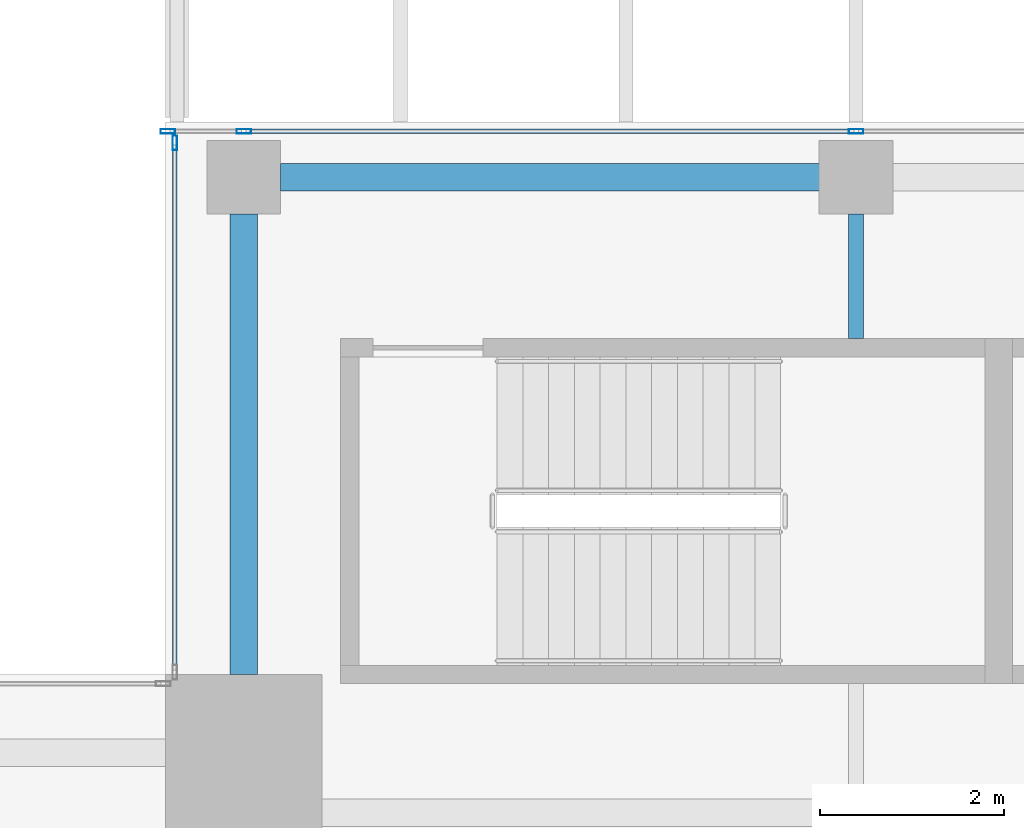
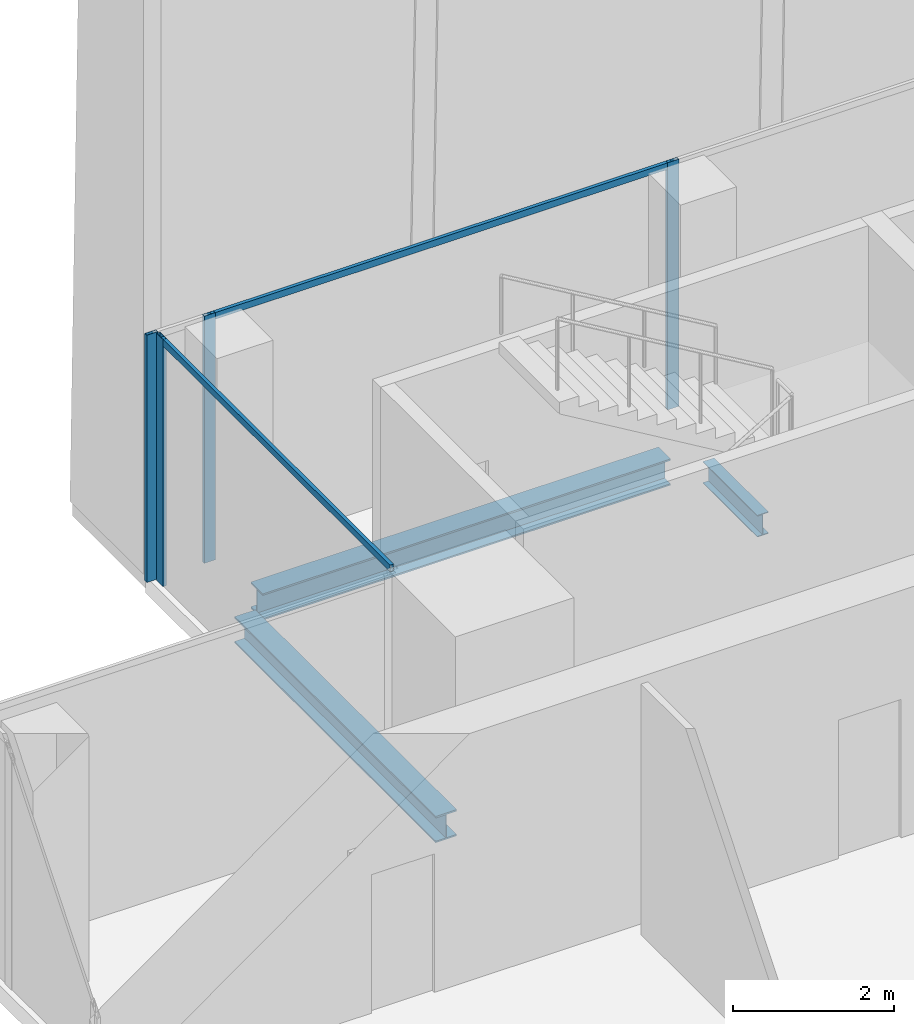
# One storey, part 14 of 32: 6 members, 3 beams, 2 elements without a shape of their own.
"""IFC4 building model written with IfcOpenShell, lengths in metres."""

import ifcopenshell
import ifcopenshell.guid

model = None  # the IFC model being written
_history = None  # IfcOwnerHistory: only IFC2X3 demands one
_inside = {}  # id of a spatial element -> (the spatial element, [elements in it])
_under = {}  # id of a project, library or spatial element -> (it, [spatial elements below it])
_declared = {}  # id of a project -> (the project, [libraries it declares])
_typed = {}  # id of a type object -> (the type object, [elements of that type])
_made_of = {}  # id of a material, layer set ... -> (it, [elements and type objects made of it])


def new_model(schema):
    """Start an empty IFC model of exactly this schema.

    Asked for "IFC4X3", IfcOpenShell would pick the latest addendum, in which some entities
    have other attributes; the version numbers below select the first issue.
    IFC2X3 requires an IfcOwnerHistory on every rooted entity: one is made here for all.
    """
    global model, _history
    if schema == "IFC4X3":
        model = ifcopenshell.file(schema_version=(4, 3, 0, 0))
    else:
        model = ifcopenshell.file(schema=schema)
    _inside.clear()
    _under.clear()
    _declared.clear()
    _typed.clear()
    _made_of.clear()
    _history = None
    if model.schema == "IFC2X3":
        org = make("IfcOrganization", Name="unknown")
        user = make(
            "IfcPersonAndOrganization",
            ThePerson=make("IfcPerson", FamilyName="unknown"),
            TheOrganization=org,
        )
        app = make(
            "IfcApplication",
            ApplicationDeveloper=org,
            Version="unknown",
            ApplicationFullName="unknown",
            ApplicationIdentifier="unknown",
        )
        _history = make(
            "IfcOwnerHistory",
            OwningUser=user,
            OwningApplication=app,
            ChangeAction="ADDED",
            CreationDate=0,
        )
    return model


def make(cls, **values):
    """One entity of the class cls with the attributes given. An attribute that is None is left unset."""
    return model.create_entity(
        cls, **{name: value for name, value in values.items() if value is not None}
    )


def rooted(cls, **values):
    """An entity with a GlobalId (a new one), such as an element, a storey or a relation."""
    return make(cls, GlobalId=ifcopenshell.guid.new(), OwnerHistory=_history, **values)


def si_unit(unit_type, name, prefix=None):
    """IfcSIUnit, for example si_unit("LENGTHUNIT", "METRE", prefix="MILLI")."""
    return make("IfcSIUnit", UnitType=unit_type, Prefix=prefix, Name=name)


def assignment(units):
    """IfcUnitAssignment: the units of a project."""
    return None if units is None else make("IfcUnitAssignment", Units=units)


def point(xyz):
    """IfcCartesianPoint."""
    return None if xyz is None else make("IfcCartesianPoint", Coordinates=xyz)


def direction(xyz):
    """IfcDirection."""
    return None if xyz is None else make("IfcDirection", DirectionRatios=xyz)


def frame(location, z_axis=None, x_axis=None):
    """IfcAxis2Placement3D, a coordinate frame: its origin and axes. An axis left out is left unset."""
    return make(
        "IfcAxis2Placement3D",
        Location=point(location),
        Axis=direction(z_axis),
        RefDirection=direction(x_axis),
    )


def frame_2d(location, x_axis=None):
    """IfcAxis2Placement2D, a coordinate frame in the plane: its origin and x axis."""
    return make(
        "IfcAxis2Placement2D", Location=point(location), RefDirection=direction(x_axis)
    )


def origin():
    """The frame at (0, 0, 0) with its axes left unset."""
    return frame((0.0, 0.0, 0.0))


def origin_2d():
    """The frame at (0, 0) in the plane with its x axis left unset."""
    return frame_2d((0.0, 0.0))


def place(relative_to, where):
    """IfcLocalPlacement: puts the frame where relative to a parent placement (None: the world)."""
    return make(
        "IfcLocalPlacement", PlacementRelTo=relative_to, RelativePlacement=where
    )


def context(
    kind, dimensions, precision=None, world=None, true_north=None, identifier=None
):
    """IfcGeometricRepresentationContext, for example the 3D "Model" context."""
    return make(
        "IfcGeometricRepresentationContext",
        ContextIdentifier=identifier,
        ContextType=kind,
        CoordinateSpaceDimension=dimensions,
        Precision=precision,
        WorldCoordinateSystem=world,
        TrueNorth=true_north,
    )


def subcontext(parent, identifier, kind, view, scale=None):
    """IfcGeometricRepresentationSubContext, for example "Body" below "Model"."""
    return make(
        "IfcGeometricRepresentationSubContext",
        ContextIdentifier=identifier,
        ContextType=kind,
        ParentContext=parent,
        TargetScale=scale,
        TargetView=view,
    )


def project(units=None, contexts=None):
    """IfcProject with its units and contexts."""
    return rooted(
        "IfcProject",
        Name="project",
        RepresentationContexts=contexts,
        UnitsInContext=assignment(units),
    )


def spatial(cls, under=None, at=None, **own):
    """A site, building, storey or space (cls), placed at a placement, below another one or the project."""
    s = rooted(cls, ObjectPlacement=at, **own)
    if under is not None:
        _under.setdefault(under.id(), (under, []))[1].append(s)
    return s


def profile(cls, at=None, kind="AREA", **sizes):
    """A parametric profile (cls). Its sizes go by their IFC names, for example OverallWidth=200.0."""
    return make(cls, ProfileType=kind, Position=at, **sizes)


def hollow_rectangle(**sizes):
    """IfcRectangleHollowProfileDef."""
    return profile("IfcRectangleHollowProfileDef", **sizes)


def i_section(**sizes):
    """IfcIShapeProfileDef."""
    return profile("IfcIShapeProfileDef", **sizes)


def extrude(swept, where, along, depth):
    """IfcExtrudedAreaSolid: the profile swept, set in the frame where, extruded along a direction by depth."""
    return make(
        "IfcExtrudedAreaSolid",
        SweptArea=swept,
        Position=where,
        ExtrudedDirection=direction(along),
        Depth=depth,
    )


def shape(context_of_items, identifier, shape_type, items):
    """IfcShapeRepresentation: the items that make up one representation, for example the "Body"."""
    return make(
        "IfcShapeRepresentation",
        ContextOfItems=context_of_items,
        RepresentationIdentifier=identifier,
        RepresentationType=shape_type,
        Items=items,
    )


def source(mapping_origin, context_of_items, identifier, shape_type, items):
    """IfcRepresentationMap: a shape defined once, which mapped items show again and again."""
    return make(
        "IfcRepresentationMap",
        MappingOrigin=mapping_origin,
        MappedRepresentation=shape(context_of_items, identifier, shape_type, items),
    )


def transform(
    local_origin,
    x_axis=None,
    y_axis=None,
    z_axis=None,
    scale=None,
    scale2=None,
    scale3=None,
    uniform=True,
):
    """IfcCartesianTransformationOperator3D, or its non-uniform kind. x_axis, y_axis, z_axis: its Axis1, 2, 3."""
    if uniform:
        return make(
            "IfcCartesianTransformationOperator3D",
            Axis1=direction(x_axis),
            Axis2=direction(y_axis),
            LocalOrigin=point(local_origin),
            Scale=scale,
            Axis3=direction(z_axis),
        )
    return make(
        "IfcCartesianTransformationOperator3DnonUniform",
        Axis1=direction(x_axis),
        Axis2=direction(y_axis),
        LocalOrigin=point(local_origin),
        Scale=scale,
        Axis3=direction(z_axis),
        Scale2=scale2,
        Scale3=scale3,
    )


def mapped(mapping_source, mapping_target):
    """IfcMappedItem: shows the shape of a source again, moved by a transform."""
    return make(
        "IfcMappedItem", MappingSource=mapping_source, MappingTarget=mapping_target
    )


def material(Name=None, Category=None):
    """IfcMaterial."""
    return make("IfcMaterial", Name=Name, Category=Category)


def material_profile(
    of_material, cross_section, Name=None, Category=None, Priority=None
):
    """IfcMaterialProfile: a cross section and its material."""
    return make(
        "IfcMaterialProfile",
        Name=Name,
        Material=of_material,
        Profile=cross_section,
        Priority=Priority,
        Category=Category,
    )


def profile_set(profiles, Name=None, composite=None):
    """IfcMaterialProfileSet."""
    return make(
        "IfcMaterialProfileSet",
        Name=Name,
        MaterialProfiles=profiles,
        CompositeProfile=composite,
    )


def made_of(thing, what):
    """Note that an element or type object is made of a material, layer set ...; save() writes the relation."""
    if what is not None:
        _made_of.setdefault(what.id(), (what, []))[1].append(thing)
    return thing


def type_object(cls, material=None, **own):
    """A type object (cls), such as IfcWallType, which elements share."""
    return made_of(rooted(cls, **own), material)


def element(
    cls,
    number,
    at=None,
    inside=None,
    cuts=None,
    type_object=None,
    material=None,
    context=None,
    identifier="Body",
    shape_type=None,
    held_by="IfcProductDefinitionShape",
    body=None,
    shapes=None,
    **own,
):
    """One element of the class cls, such as IfcWall. Its Tag is "e" and its number.

    at: its placement. inside: the storey or other place that contains it. cuts: it is an
    opening in that element (IfcRelVoidsElement). A single representation is given by context,
    identifier, shape_type and body (its items); several are given by shapes. held_by: the class
    of the entity that holds the representations. save() writes the other relations.
    """
    e = rooted(cls, Tag="e%d" % number, ObjectPlacement=at, **own)
    if body is not None:
        shapes = [shape(context, identifier, shape_type, body)]
    if shapes is not None:
        e.Representation = make(held_by, Representations=shapes)
    if inside is not None:
        _inside.setdefault(inside.id(), (inside, []))[1].append(e)
    if cuts is not None:
        rooted(
            "IfcRelVoidsElement", RelatingBuildingElement=cuts, RelatedOpeningElement=e
        )
    if type_object is not None:
        _typed.setdefault(type_object.id(), (type_object, []))[1].append(e)
    return made_of(e, material)


def aggregate(whole, parts):
    """IfcRelAggregates: a whole, such as a stair, and the parts it consists of."""
    return rooted("IfcRelAggregates", RelatingObject=whole, RelatedObjects=parts)


def save(model, path):
    """Write the relations noted so far, then the file.

    IfcRelAggregates (storeys below a building ...), IfcRelContainedInSpatialStructure (elements
    in a storey), IfcRelDefinesByType, IfcRelAssociatesMaterial and IfcRelDeclares: one each for
    every whole, place, type object, material and project.
    """
    for whole, parts in _under.values():
        aggregate(whole, parts)
    for where, things in _inside.values():
        rooted(
            "IfcRelContainedInSpatialStructure",
            RelatedElements=things,
            RelatingStructure=where,
        )
    for kind, things in _typed.values():
        rooted("IfcRelDefinesByType", RelatedObjects=things, RelatingType=kind)
    for what, things in _made_of.values():
        rooted("IfcRelAssociatesMaterial", RelatedObjects=things, RelatingMaterial=what)
    for by, libraries in _declared.values():
        rooted("IfcRelDeclares", RelatingContext=by, RelatedDefinitions=libraries)
    model.write(path)


model = new_model("IFC4")

# Units and contexts
model_context = context("Model", 3, precision=1e-05, world=origin(), true_north=direction((0.0, 1.0)))
body_context = subcontext(model_context, "Body", "Model", "MODEL_VIEW")
ifc_project = project(units=[si_unit("LENGTHUNIT", "METRE"), si_unit("AREAUNIT", "SQUARE_METRE"), si_unit("VOLUMEUNIT", "CUBIC_METRE"), si_unit("PLANEANGLEUNIT", "RADIAN"), si_unit("MASSUNIT", "GRAM", prefix="KILO")], contexts=[model_context])

# Site, building, storey
site_placement = place(None, origin())
site = spatial("IfcSite", under=ifc_project, at=site_placement, CompositionType="ELEMENT")
building_placement = place(site_placement, origin())
building = spatial("IfcBuilding", under=site, at=building_placement, Name="Khomas Fold Tower", CompositionType="ELEMENT")
storey_placement = place(building_placement, frame((0.0, 0.0, 306.199951171875)))
storey = spatial("IfcBuildingStorey", under=building, at=storey_placement, Name="L69", CompositionType="ELEMENT", Elevation=306.199951171875)

# Beams
ifc_material_1 = material(Name="Steel S355", Category="steel")
ifc_material_profile_1 = material_profile(ifc_material_1, i_section(OverallWidth=0.159912109375, OverallDepth=0.330078125, WebThickness=0.007568359375, FlangeThickness=0.011474609375, at=origin_2d()), Name="IPE 330")
ifc_profile_set_1 = profile_set([ifc_material_profile_1], Name="Steel S355")
beam_type_1 = type_object("IfcBeamType", Name="IPE 330 beam JB1", PredefinedType="BEAM", material=ifc_profile_set_1)
shared_shape_1 = source(origin(), body_context, "Body", "SweptSolid", [
    extrude(i_section(OverallWidth=0.159912109375, OverallDepth=0.330078125, WebThickness=0.007568359375, FlangeThickness=0.011474609375, at=origin_2d()), origin(), (0.0, 0.0, 1.0), 1.35009765625),
])
beam_1_placement = place(storey_placement, frame((19.5, 45.64990234375, -0.4150390625), z_axis=(0.0, 1.0, 0.0), x_axis=(-1.0, 0.0, 0.0)))
element("IfcBeam", 1, at=beam_1_placement, inside=storey, type_object=beam_type_1, Name="JB1", PredefinedType="BEAM", context=body_context, shape_type="MappedRepresentation", body=[
    mapped(shared_shape_1, transform((0.0, 0.0, 0.0))),
])
ifc_material_2 = material(Name="Steel S355", Category="steel")
ifc_material_profile_2 = material_profile(ifc_material_2, i_section(OverallWidth=0.300048828125, OverallDepth=0.39990234375, WebThickness=0.013427734375, FlangeThickness=0.02392578125, at=origin_2d()), Name="HE 400 B")
ifc_profile_set_2 = profile_set([ifc_material_profile_2], Name="Steel S355")
beam_type_2 = type_object("IfcBeamType", Name="HE 400 B spandrel SB5", PredefinedType="SPANDREL", material=ifc_profile_set_2)
shared_shape_2 = source(origin(), body_context, "Body", "SweptSolid", [
    extrude(i_section(OverallWidth=0.300048828125, OverallDepth=0.39990234375, WebThickness=0.013427734375, FlangeThickness=0.02392578125, at=origin_2d()), origin(), (0.0, 0.0, 1.0), 5.85009765625),
])
beam_2_placement = place(storey_placement, frame((13.25, 47.39990234375, -0.449951171875), z_axis=(1.0, 0.0, 0.0), x_axis=(0.0, 1.0, 0.0)))
element("IfcBeam", 2, at=beam_2_placement, inside=storey, type_object=beam_type_2, Name="SB5", PredefinedType="SPANDREL", context=body_context, shape_type="MappedRepresentation", body=[
    mapped(shared_shape_2, transform((0.0, 0.0, 0.0))),
])
shared_shape_3 = source(origin(), body_context, "Body", "SweptSolid", [
    extrude(i_section(OverallWidth=0.300048828125, OverallDepth=0.39990234375, WebThickness=0.013427734375, FlangeThickness=0.02392578125, at=origin_2d()), origin(), (0.0, 0.0, 1.0), 5.0),
])
beam_3_placement = place(storey_placement, frame((12.85009765625, 42.0, -0.449951171875), z_axis=(0.0, 1.0, 0.0), x_axis=(-1.0, 0.0, 0.0)))
element("IfcBeam", 3, at=beam_3_placement, inside=storey, type_object=beam_type_2, Name="SB5", PredefinedType="SPANDREL", context=body_context, shape_type="MappedRepresentation", body=[
    mapped(shared_shape_3, transform((0.0, 0.0, 0.0))),
])

# Curtain wall, members
ifc_material_3 = material(Name="Aluminium framed double glazing", Category="aluminium")
curtain_wall_type = type_object("IfcCurtainWallType", Name="SK-Unitised clear-glass wall, upper floors CW3", PredefinedType="NOTDEFINED", material=ifc_material_3)
curtain_wall_1_placement = place(storey_placement, origin())
curtain_wall_1 = element("IfcCurtainWall", 4, at=curtain_wall_1_placement, inside=storey, type_object=curtain_wall_type, Name="CW3 run L69 06-1", PredefinedType="NOTDEFINED")
ifc_material_4 = material(Name="Aluminium", Category="aluminium")
ifc_material_profile_3 = material_profile(ifc_material_4, hollow_rectangle(XDim=0.050048828125, YDim=0.159912109375, WallThickness=0.00390625, at=origin_2d()), Name="SK-Unitised clear-glass wall, upper floors mullion CW3-M")
ifc_profile_set_3 = profile_set([ifc_material_profile_3], Name="Aluminium")
member_type_1 = type_object("IfcMemberType", Name="SK-Unitised clear-glass wall, upper floors mullion CW3-M", PredefinedType="MULLION", material=ifc_profile_set_3)
shared_shape_4 = source(origin(), body_context, "Body", "SweptSolid", [
    extrude(hollow_rectangle(XDim=0.050048828125, YDim=0.159912109375, WallThickness=0.00390625, at=origin_2d()), origin(), (0.0, 0.0, 1.0), 3.75),
])
member_1_placement = place(storey_placement, frame((19.5, 47.89990234375, 0.0), z_axis=(0.0, 0.0, 1.0), x_axis=(0.0, -1.0, 0.0)))
member_1 = element("IfcMember", 5, at=member_1_placement, type_object=member_type_1, Name="CW3 mullion 4", PredefinedType="MULLION", context=body_context, shape_type="MappedRepresentation", body=[
    mapped(shared_shape_4, transform((0.0, 0.0, 0.0))),
])
member_2_placement = place(storey_placement, frame((12.85009765625, 47.89990234375, 0.0), z_axis=(0.0, 0.0, 1.0), x_axis=(0.0, -1.0, 0.0)))
member_2 = element("IfcMember", 6, at=member_2_placement, type_object=member_type_1, Name="CW3 mullion 5", PredefinedType="MULLION", context=body_context, shape_type="MappedRepresentation", body=[
    mapped(shared_shape_4, transform((0.0, 0.0, 0.0))),
])
member_3_placement = place(storey_placement, frame((12.02490234375, 47.89990234375, 0.0), z_axis=(0.0, 0.0, 1.0), x_axis=(0.0, -1.0, 0.0)))
member_3 = element("IfcMember", 7, at=member_3_placement, type_object=member_type_1, Name="CW3 mullion 6", PredefinedType="MULLION", context=body_context, shape_type="MappedRepresentation", body=[
    mapped(shared_shape_4, transform((0.0, 0.0, 0.0))),
])

# Curtain wall, member
curtain_wall_2_placement = place(storey_placement, origin())
curtain_wall_2 = element("IfcCurtainWall", 8, at=curtain_wall_2_placement, inside=storey, type_object=curtain_wall_type, Name="CW3 corner return L69 07", PredefinedType="NOTDEFINED")
member_4_placement = place(storey_placement, frame((12.10009765625, 47.77490234375, 0.0), z_axis=(0.0, 0.0, 1.0), x_axis=(1.0, 0.0, 0.0)))
member_4 = element("IfcMember", 9, at=member_4_placement, type_object=member_type_1, Name="CW3 mullion 1", PredefinedType="MULLION", context=body_context, shape_type="MappedRepresentation", body=[
    mapped(shared_shape_4, transform((0.0, 0.0, 0.0))),
])

# Member
ifc_material_5 = material(Name="Aluminium", Category="aluminium")
ifc_material_profile_4 = material_profile(ifc_material_5, hollow_rectangle(XDim=0.050048828125, YDim=0.10009765625, WallThickness=0.00390625, at=origin_2d()), Name="SK-Unitised clear-glass wall, upper floors transom CW3-T")
ifc_profile_set_4 = profile_set([ifc_material_profile_4], Name="Aluminium")
member_type_2 = type_object("IfcMemberType", Name="SK-Unitised clear-glass wall, upper floors transom CW3-T", PredefinedType="USERDEFINED", material=ifc_profile_set_4)
shared_shape_5 = source(origin(), body_context, "Body", "SweptSolid", [
    extrude(hollow_rectangle(XDim=0.050048828125, YDim=0.10009765625, WallThickness=0.00390625, at=origin_2d()), origin(), (0.0, 0.0, 1.0), 6.60009765625),
])
member_5_placement = place(storey_placement, frame((19.47509765625, 47.89990234375, 3.699951171875), z_axis=(-1.0, 0.0, 0.0), x_axis=(0.0, -1.0, 0.0)))
member_5 = element("IfcMember", 10, at=member_5_placement, type_object=member_type_2, Name="CW3 transom 4", ObjectType="TRANSOM", PredefinedType="USERDEFINED", context=body_context, shape_type="MappedRepresentation", body=[
    mapped(shared_shape_5, transform((0.0, 0.0, 0.0))),
])

aggregate(curtain_wall_1, [member_1, member_2, member_3, member_5])

shared_shape_6 = source(origin(), body_context, "Body", "SweptSolid", [
    extrude(hollow_rectangle(XDim=0.050048828125, YDim=0.10009765625, WallThickness=0.00390625, at=origin_2d()), origin(), (0.0, 0.0, 1.0), 5.699951171875),
])
member_6_placement = place(storey_placement, frame((12.10009765625, 47.75, 3.699951171875), z_axis=(0.0, -1.0, 0.0), x_axis=(1.0, 0.0, 0.0)))
member_6 = element("IfcMember", 11, at=member_6_placement, type_object=member_type_2, Name="CW3 transom 1", ObjectType="TRANSOM", PredefinedType="USERDEFINED", context=body_context, shape_type="MappedRepresentation", body=[
    mapped(shared_shape_6, transform((0.0, 0.0, 0.0))),
])

aggregate(curtain_wall_2, [member_4, member_6])

save(model, "model.ifc")
